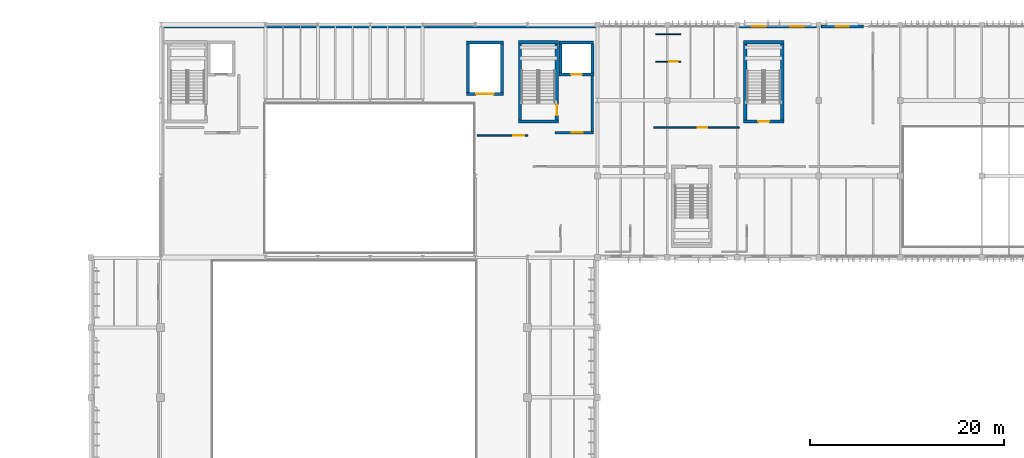
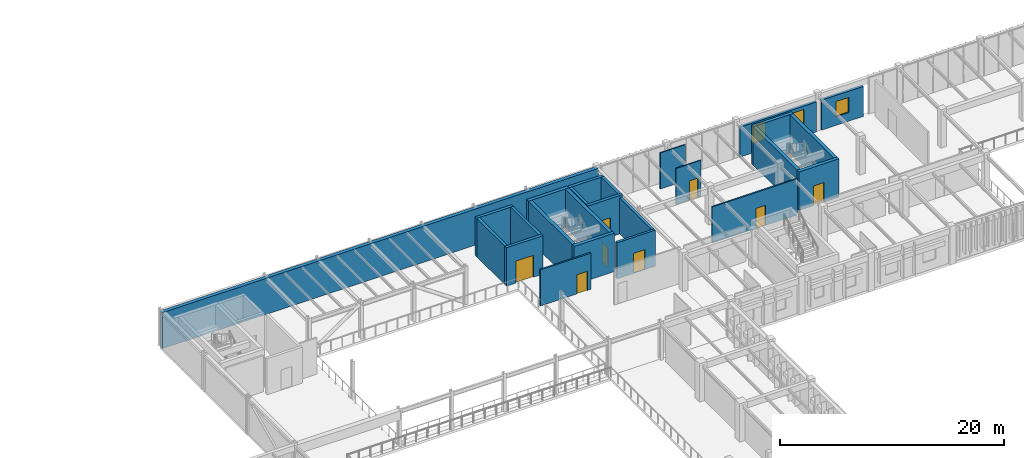
# One storey, part 46 of 122: 25 walls, 8 doors, 3 windows, 11 openings.
"""IFC4 building model written with IfcOpenShell, lengths in metres."""

from ifc_helpers import new_model, si_unit, direction, frame, frame_2d, origin, place, context, subcontext, project, spatial, rectangle, extrude, material, layer, layer_set, type_object, element, fill, save


model = new_model("IFC4")

# Units and contexts
model_context = context("Model", 3, precision=1e-05, world=origin(), true_north=direction((0.0, 1.0)))
body_context = subcontext(model_context, "Body", "Model", "MODEL_VIEW")
ifc_project = project(units=[si_unit("LENGTHUNIT", "METRE"), si_unit("AREAUNIT", "SQUARE_METRE"), si_unit("VOLUMEUNIT", "CUBIC_METRE"), si_unit("PLANEANGLEUNIT", "RADIAN"), si_unit("MASSUNIT", "GRAM", prefix="KILO")], contexts=[model_context])

# Site, building, storey
site_placement = place(None, origin())
site = spatial("IfcSite", under=ifc_project, at=site_placement, CompositionType="ELEMENT")
building_placement = place(site_placement, origin())
building = spatial("IfcBuilding", under=site, at=building_placement, Name="Tazoul Stagehouse", CompositionType="ELEMENT")
storey_placement = place(building_placement, frame((0.0, 0.0, 4.800048828125)))
storey = spatial("IfcBuildingStorey", under=building, at=storey_placement, Name="L01", CompositionType="ELEMENT", Elevation=4.800048828125)

# Walls
ifc_material_1 = material(Name="Ochre Fired Clay Facing Brick Masonry", Category="masonry")
ifc_layer_1 = layer(ifc_material_1, 0.360107421875, Name="Ochre Fired Clay Facing Brick Masonry")
ifc_layer_set_1 = layer_set([ifc_layer_1], Name="Ochre Fired Clay Facing Brick Masonry")
wall_type_1 = type_object("IfcWallType", Name="Acoustic Stagehouse Masonry-Concrete Cavity Wall 360", PredefinedType="SOLIDWALL", material=ifc_layer_set_1)
wall_1_placement = place(storey_placement, frame((57.60009765625, 111.6201171875, 0.0), z_axis=(0.0, 0.0, 1.0), x_axis=(1.0, 0.0, 0.0)))
element("IfcWall", 1, at=wall_1_placement, inside=storey, type_object=wall_type_1, Name="L01 Wall EW-360 (WALL-V2-N-L01-S1)", PredefinedType="SOLIDWALL", context=body_context, shape_type="SweptSolid", body=[
    extrude(rectangle(XDim=45.0, YDim=0.360107421875, at=frame_2d((22.5, 0.0))), origin(), (0.0, 0.0, 1.0), 3.93994140625),
])
ifc_material_2 = material(Name="Concrete C40/50", Category="concrete")
ifc_layer_2 = layer(ifc_material_2, 0.35009765625, Name="Concrete C40/50")
ifc_layer_set_2 = layer_set([ifc_layer_2], Name="Concrete C40/50")
wall_type_2 = type_object("IfcWallType", Name="Core Shear Wall 350", PredefinedType="SOLIDWALL", material=ifc_layer_set_2)
wall_2_placement = place(storey_placement, frame((98.60009765625, 101.824951171875, 0.0), z_axis=(0.0, 0.0, 1.0), x_axis=(-1.0, 0.0, 0.0)))
element("IfcWall", 2, at=wall_2_placement, inside=storey, type_object=wall_type_2, Name="L01 Core Wall CW-350 (SHF-ST-01-south)", PredefinedType="SOLIDWALL", context=body_context, shape_type="SweptSolid", body=[
    extrude(rectangle(XDim=4.150146484375, YDim=0.35009765625, at=frame_2d((2.0751953125, 0.0))), origin(), (0.0, 0.0, 1.0), 4.199951171875),
])
wall_3_placement = place(storey_placement, frame((94.625, 102.0, 0.0), z_axis=(0.0, 0.0, 1.0), x_axis=(0.0, 1.0, 0.0)))
element("IfcWall", 3, at=wall_3_placement, inside=storey, type_object=wall_type_2, Name="L01 Core Wall CW-350 (SHF-ST-01-west)", PredefinedType="SOLIDWALL", context=body_context, shape_type="SweptSolid", body=[
    extrude(rectangle(XDim=7.800048828125, YDim=0.35009765625, at=frame_2d((3.89990234375, 0.0))), origin(), (0.0, 0.0, 1.0), 4.199951171875),
])
wall_4_placement = place(storey_placement, frame((94.449951171875, 109.97509765625, 0.0), z_axis=(0.0, 0.0, 1.0), x_axis=(1.0, 0.0, 0.0)))
element("IfcWall", 4, at=wall_4_placement, inside=storey, type_object=wall_type_2, Name="L01 Core Wall CW-350 (SHF-ST-01-north)", PredefinedType="SOLIDWALL", context=body_context, shape_type="SweptSolid", body=[
    extrude(rectangle(XDim=4.150146484375, YDim=0.35009765625, at=frame_2d((2.0751953125, 0.0))), origin(), (0.0, 0.0, 1.0), 4.199951171875),
])

# Wall, opening, door
wall_5_placement = place(storey_placement, frame((98.425048828125, 109.800048828125, 0.0), z_axis=(0.0, 0.0, 1.0), x_axis=(0.0, -1.0, 0.0)))
wall_5 = element("IfcWall", 5, at=wall_5_placement, inside=storey, type_object=wall_type_2, Name="L01 Core Wall CW-350 (SHF-ST-01-east)", PredefinedType="SOLIDWALL", context=body_context, shape_type="SweptSolid", body=[
    extrude(rectangle(XDim=7.800048828125, YDim=0.35009765625, at=frame_2d((3.89990234375, 0.0))), origin(), (0.0, 0.0, 1.0), 4.199951171875),
])
opening_1_placement = place(wall_5_placement, frame((6.25, 0.0, 0.0)))
opening_1 = element("IfcOpeningElement", 6, at=opening_1_placement, cuts=wall_5, Name="Opening FD-01", PredefinedType="OPENING", context=body_context, shape_type="SweptSolid", body=[
    extrude(rectangle(XDim=1.10009765625, YDim=2.14990234375, at=frame_2d((0.550048828125, 1.074951171875))), frame((0.0, 0.195068359375, 0.0), z_axis=(0.0, -1.0, 0.0), x_axis=(1.0, 0.0, 0.0)), (0.0, 0.0, 1.0), 0.39013671875),
])
ifc_material_3 = material(Name="Powder-Coated Galvanised Acoustic Steel", Category="steel")
door_type_1 = type_object("IfcDoorType", Name="Core Escape Stair Fire Door 1100x2150", OperationType="NOTDEFINED", PredefinedType="DOOR", material=ifc_material_3)
door_1_placement = place(opening_1_placement, origin())
door_1 = element("IfcDoor", 7, at=door_1_placement, inside=storey, type_object=door_type_1, Name="L01 Escape Stair Fire Door FD-01 (ST-01)", OperationType="SINGLE_SWING_LEFT", OverallHeight=2.14990234375, OverallWidth=1.10009765625, PredefinedType="DOOR", context=body_context, shape_type="SweptSolid", body=[
    extrude(rectangle(XDim=1.10009765625, YDim=2.14990234375, at=frame_2d((0.550048828125, 1.074951171875))), frame((0.0, 0.02490234375, 0.0), z_axis=(0.0, -1.0, 0.0), x_axis=(1.0, 0.0, 0.0)), (0.0, 0.0, 1.0), 0.050048828125),
])
fill(opening_1, door_1)

wall_6_placement = place(storey_placement, frame((121.800048828125, 101.824951171875, 0.0), z_axis=(0.0, 0.0, 1.0), x_axis=(-1.0, 0.0, 0.0)))
wall_6 = element("IfcWall", 8, at=wall_6_placement, inside=storey, type_object=wall_type_2, Name="L01 Core Wall CW-350 (SHF-ST-02-south)", PredefinedType="SOLIDWALL", context=body_context, shape_type="SweptSolid", body=[
    extrude(rectangle(XDim=4.150146484375, YDim=0.35009765625, at=frame_2d((2.0751953125, 0.0))), origin(), (0.0, 0.0, 1.0), 4.199951171875),
])
opening_2_placement = place(wall_6_placement, frame((1.52490234375, 0.0, 0.0)))
opening_2 = element("IfcOpeningElement", 9, at=opening_2_placement, cuts=wall_6, Name="Opening FD-01", PredefinedType="OPENING", context=body_context, shape_type="SweptSolid", body=[
    extrude(rectangle(XDim=1.10009765625, YDim=2.14990234375, at=frame_2d((0.550048828125, 1.074951171875))), frame((0.0, 0.195068359375, 0.0), z_axis=(0.0, -1.0, 0.0), x_axis=(1.0, 0.0, 0.0)), (0.0, 0.0, 1.0), 0.39013671875),
])
door_2_placement = place(opening_2_placement, origin())
door_2 = element("IfcDoor", 10, at=door_2_placement, inside=storey, type_object=door_type_1, Name="L01 Escape Stair Fire Door FD-01 (ST-02)", OperationType="SINGLE_SWING_RIGHT", OverallHeight=2.14990234375, OverallWidth=1.10009765625, PredefinedType="DOOR", context=body_context, shape_type="SweptSolid", body=[
    extrude(rectangle(XDim=1.10009765625, YDim=2.14990234375, at=frame_2d((0.550048828125, 1.074951171875))), frame((0.0, 0.02490234375, 0.0), z_axis=(0.0, -1.0, 0.0), x_axis=(1.0, 0.0, 0.0)), (0.0, 0.0, 1.0), 0.050048828125),
])
fill(opening_2, door_2)

# Walls
wall_7_placement = place(storey_placement, frame((117.824951171875, 102.0, 0.0), z_axis=(0.0, 0.0, 1.0), x_axis=(0.0, 1.0, 0.0)))
element("IfcWall", 11, at=wall_7_placement, inside=storey, type_object=wall_type_2, Name="L01 Core Wall CW-350 (SHF-ST-02-west)", PredefinedType="SOLIDWALL", context=body_context, shape_type="SweptSolid", body=[
    extrude(rectangle(XDim=7.800048828125, YDim=0.35009765625, at=frame_2d((3.89990234375, 0.0))), origin(), (0.0, 0.0, 1.0), 4.199951171875),
])
wall_8_placement = place(storey_placement, frame((117.64990234375, 109.97509765625, 0.0), z_axis=(0.0, 0.0, 1.0), x_axis=(1.0, 0.0, 0.0)))
element("IfcWall", 12, at=wall_8_placement, inside=storey, type_object=wall_type_2, Name="L01 Core Wall CW-350 (SHF-ST-02-north)", PredefinedType="SOLIDWALL", context=body_context, shape_type="SweptSolid", body=[
    extrude(rectangle(XDim=4.150146484375, YDim=0.35009765625, at=frame_2d((2.0751953125, 0.0))), origin(), (0.0, 0.0, 1.0), 4.199951171875),
])
wall_9_placement = place(storey_placement, frame((121.625, 109.800048828125, 0.0), z_axis=(0.0, 0.0, 1.0), x_axis=(0.0, -1.0, 0.0)))
element("IfcWall", 13, at=wall_9_placement, inside=storey, type_object=wall_type_2, Name="L01 Core Wall CW-350 (SHF-ST-02-east)", PredefinedType="SOLIDWALL", context=body_context, shape_type="SweptSolid", body=[
    extrude(rectangle(XDim=7.800048828125, YDim=0.35009765625, at=frame_2d((3.89990234375, 0.0))), origin(), (0.0, 0.0, 1.0), 4.199951171875),
])

# Wall, opening, door
ifc_material_4 = material(Name="Gypsum Acoustic Partition", Category="gypsum")
ifc_layer_3 = layer(ifc_material_4, 0.169921875, Name="Gypsum Acoustic Partition")
ifc_layer_set_3 = layer_set([ifc_layer_3], Name="Gypsum Acoustic Partition")
wall_type_3 = type_object("IfcWallType", Name="Corridor Fire-Rated Partition 170", PredefinedType="PARTITIONING", material=ifc_layer_set_3)
wall_10_placement = place(storey_placement, frame((90.199951171875, 100.39990234375, 0.0), z_axis=(0.0, 0.0, 1.0), x_axis=(1.0, 0.0, 0.0)))
wall_10 = element("IfcWall", 14, at=wall_10_placement, inside=storey, type_object=wall_type_3, Name="L01 Partition PW-170 (PW-RM-L01-113-N)", PredefinedType="PARTITIONING", context=body_context, shape_type="SweptSolid", body=[
    extrude(rectangle(XDim=5.199951171875, YDim=0.169921875, at=frame_2d((2.60009765625, 0.0))), origin(), (0.0, 0.0, 1.0), 3.93994140625),
])
opening_3_placement = place(wall_10_placement, frame((3.75, 0.0, 0.0)))
opening_3 = element("IfcOpeningElement", 15, at=opening_3_placement, cuts=wall_10, Name="Opening ID-09", PredefinedType="OPENING", context=body_context, shape_type="SweptSolid", body=[
    extrude(rectangle(XDim=1.10009765625, YDim=2.10009765625, at=frame_2d((0.550048828125, 1.050048828125))), frame((0.0, 0.10498046875, 0.0), z_axis=(0.0, -1.0, 0.0), x_axis=(1.0, 0.0, 0.0)), (0.0, 0.0, 1.0), 0.2099609375),
])
ifc_material_5 = material(Name="Acoustic Cedar Timber", Category="wood")
door_type_2 = type_object("IfcDoorType", Name="Store Room Steel Door 1100x2100", OperationType="NOTDEFINED", PredefinedType="DOOR", material=ifc_material_5)
door_3_placement = place(opening_3_placement, origin())
door_3 = element("IfcDoor", 16, at=door_3_placement, inside=storey, type_object=door_type_2, Name="L01 Stage Right Lighting and Sound Rack Gallery Door", OperationType="SINGLE_SWING_RIGHT", OverallHeight=2.10009765625, OverallWidth=1.10009765625, PredefinedType="DOOR", context=body_context, shape_type="SweptSolid", body=[
    extrude(rectangle(XDim=1.10009765625, YDim=2.10009765625, at=frame_2d((0.550048828125, 1.050048828125))), frame((0.0, 0.02490234375, 0.0), z_axis=(0.0, -1.0, 0.0), x_axis=(1.0, 0.0, 0.0)), (0.0, 0.0, 1.0), 0.050048828125),
])
fill(opening_3, door_3)

ifc_layer_4 = layer(ifc_material_4, 0.14990234375, Name="Gypsum Acoustic Partition")
ifc_layer_set_4 = layer_set([ifc_layer_4], Name="Gypsum Acoustic Partition")
wall_type_4 = type_object("IfcWallType", Name="Dressing Suite Acoustic Partition 150", PredefinedType="PARTITIONING", material=ifc_layer_set_4)
wall_11_placement = place(storey_placement, frame((117.199951171875, 101.199951171875, 0.0), z_axis=(0.0, 0.0, 1.0), x_axis=(-1.0, 0.0, 0.0)))
wall_11 = element("IfcWall", 17, at=wall_11_placement, inside=storey, type_object=wall_type_4, Name="L01 Partition PW-150 (PW-RM-L01-047-S)", PredefinedType="PARTITIONING", context=body_context, shape_type="SweptSolid", body=[
    extrude(rectangle(XDim=8.800048828125, YDim=0.14990234375, at=frame_2d((4.39990234375, 0.0))), origin(), (0.0, 0.0, 1.0), 3.93994140625),
])
opening_4_placement = place(wall_11_placement, frame((3.30859375, 0.0, 0.0)))
opening_4 = element("IfcOpeningElement", 18, at=opening_4_placement, cuts=wall_11, Name="Opening ID-03", PredefinedType="OPENING", context=body_context, shape_type="SweptSolid", body=[
    extrude(rectangle(XDim=0.949951171875, YDim=2.199951171875, at=frame_2d((0.47509765625, 1.10009765625))), frame((0.0, 0.094970703125, 0.0), z_axis=(0.0, -1.0, 0.0), x_axis=(1.0, 0.0, 0.0)), (0.0, 0.0, 1.0), 0.18994140625),
])
door_type_3 = type_object("IfcDoorType", Name="Dressing Suite Acoustic Door 950x2200", OperationType="NOTDEFINED", PredefinedType="DOOR", material=ifc_material_5)
door_4_placement = place(opening_4_placement, origin())
door_4 = element("IfcDoor", 19, at=door_4_placement, inside=storey, type_object=door_type_3, Name="L01 Star Dressing Suite 04 Door", OperationType="SINGLE_SWING_LEFT", OverallHeight=2.199951171875, OverallWidth=0.949951171875, PredefinedType="DOOR", context=body_context, shape_type="SweptSolid", body=[
    extrude(rectangle(XDim=0.949951171875, YDim=2.199951171875, at=frame_2d((0.47509765625, 1.10009765625))), frame((0.0, 0.02490234375, 0.0), z_axis=(0.0, -1.0, 0.0), x_axis=(1.0, 0.0, 0.0)), (0.0, 0.0, 1.0), 0.050048828125),
])
fill(opening_4, door_4)

ifc_layer_5 = layer(ifc_material_2, 0.260009765625, Name="Concrete C40/50")
ifc_layer_set_5 = layer_set([ifc_layer_5], Name="Concrete C40/50")
wall_type_5 = type_object("IfcWallType", Name="Firefighting Lobby Wall 260", PredefinedType="SOLIDWALL", material=ifc_layer_set_5)
wall_12_placement = place(storey_placement, frame((102.2099609375, 100.669921875, 0.0), z_axis=(0.0, 0.0, 1.0), x_axis=(-1.0, 0.0, 0.0)))
wall_12 = element("IfcWall", 20, at=wall_12_placement, inside=storey, type_object=wall_type_5, Name="L01 Firefighting Lobby Wall CW-260 (C1-S)", PredefinedType="SOLIDWALL", context=body_context, shape_type="SweptSolid", body=[
    extrude(rectangle(XDim=3.9599609375, YDim=0.260009765625, at=frame_2d((1.97998046875, 0.0))), origin(), (0.0, 0.0, 1.0), 3.93994140625),
])
opening_5_placement = place(wall_12_placement, frame((1.10009765625, 0.0, 0.0)))
opening_5 = element("IfcOpeningElement", 21, at=opening_5_placement, cuts=wall_12, Name="Opening FD-02", PredefinedType="OPENING", context=body_context, shape_type="SweptSolid", body=[
    extrude(rectangle(XDim=1.14990234375, YDim=2.199951171875, at=frame_2d((0.574951171875, 1.10009765625))), frame((0.0, 0.14990234375, 0.0), z_axis=(0.0, -1.0, 0.0), x_axis=(1.0, 0.0, 0.0)), (0.0, 0.0, 1.0), 0.300048828125),
])
door_type_4 = type_object("IfcDoorType", Name="Firefighting Lobby Fire Door 1150x2200", OperationType="NOTDEFINED", PredefinedType="DOOR", material=ifc_material_3)
door_5_placement = place(opening_5_placement, origin())
door_5 = element("IfcDoor", 22, at=door_5_placement, inside=storey, type_object=door_type_4, Name="L01 Firefighting Lobby Door FD-02 (C1)", OperationType="SINGLE_SWING_RIGHT", OverallHeight=2.199951171875, OverallWidth=1.14990234375, PredefinedType="DOOR", context=body_context, shape_type="SweptSolid", body=[
    extrude(rectangle(XDim=1.14990234375, YDim=2.199951171875, at=frame_2d((0.574951171875, 1.10009765625))), frame((0.0, 0.02490234375, 0.0), z_axis=(0.0, -1.0, 0.0), x_axis=(1.0, 0.0, 0.0)), (0.0, 0.0, 1.0), 0.050048828125),
])
fill(opening_5, door_5)

# Wall
wall_13_placement = place(storey_placement, frame((102.080078125, 106.64990234375, 0.0), z_axis=(0.0, 0.0, 1.0), x_axis=(0.0, -1.0, 0.0)))
element("IfcWall", 23, at=wall_13_placement, inside=storey, type_object=wall_type_5, Name="L01 Firefighting Lobby Wall CW-260 (C1-E)", PredefinedType="SOLIDWALL", context=body_context, shape_type="SweptSolid", body=[
    extrude(rectangle(XDim=5.849853515625, YDim=0.260009765625, at=frame_2d((2.9248046875, 0.0))), origin(), (0.0, 0.0, 1.0), 3.93994140625),
])

# Wall, openings, windows
ifc_material_6 = material(Name="Precast concrete C40/50", Category="concrete")
ifc_layer_6 = layer(ifc_material_6, 0.280029296875, Name="Precast concrete C40/50")
ifc_layer_set_6 = layer_set([ifc_layer_6], Name="Precast concrete C40/50")
wall_type_6 = type_object("IfcWallType", Name="Insulated Precast Acoustic Cladding Wall 280", PredefinedType="SOLIDWALL", material=ifc_layer_set_6)
wall_14_placement = place(storey_placement, frame((117.2548828125, 111.6201171875, 0.0), z_axis=(0.0, 0.0, 1.0), x_axis=(1.0, 0.0, 0.0)))
wall_14 = element("IfcWall", 24, at=wall_14_placement, inside=storey, type_object=wall_type_6, Name="L01 Wall EW-280 (WALL-V3-N2-L01-S1)", PredefinedType="SOLIDWALL", context=body_context, shape_type="SweptSolid", body=[
    extrude(rectangle(XDim=7.89013671875, YDim=0.280029296875, at=frame_2d((3.945068359375, 0.0))), origin(), (0.0, 0.0, 1.0), 3.27294921875),
])
opening_6_placement = place(wall_14_placement, frame((1.267578125, 0.0, 0.949951171875)))
opening_6 = element("IfcOpeningElement", 25, at=opening_6_placement, cuts=wall_14, Name="Opening WN-75", PredefinedType="OPENING", context=body_context, shape_type="SweptSolid", body=[
    extrude(rectangle(XDim=1.409912109375, YDim=1.949951171875, at=frame_2d((0.705078125, 0.97509765625))), frame((0.0, 0.159912109375, 0.0), z_axis=(0.0, -1.0, 0.0), x_axis=(1.0, 0.0, 0.0)), (0.0, 0.0, 1.0), 0.320068359375),
])
opening_7_placement = place(wall_14_placement, frame((5.21240234375, 0.0, 0.949951171875)))
opening_7 = element("IfcOpeningElement", 26, at=opening_7_placement, cuts=wall_14, Name="Opening WN-75", PredefinedType="OPENING", context=body_context, shape_type="SweptSolid", body=[
    extrude(rectangle(XDim=1.409912109375, YDim=1.949951171875, at=frame_2d((0.705078125, 0.97509765625))), frame((0.0, 0.159912109375, 0.0), z_axis=(0.0, -1.0, 0.0), x_axis=(1.0, 0.0, 0.0)), (0.0, 0.0, 1.0), 0.320068359375),
])
ifc_material_7 = material(Name="Double Low-E Acoustic Laminated Glass", Category="glass")
window_type_1 = type_object("IfcWindowType", Name="Architectural Acoustic Facade Window 1410x1950", PartitioningType="SINGLE_PANEL", PredefinedType="WINDOW", material=ifc_material_7)
window_1_placement = place(opening_6_placement, origin())
window_1 = element("IfcWindow", 27, at=window_1_placement, inside=storey, type_object=window_type_1, Name="L01 Window WN-75 (WALL-V3-N2-L01-S1-W1)", OverallHeight=1.949951171875, OverallWidth=1.409912109375, PartitioningType="SINGLE_PANEL", PredefinedType="WINDOW", context=body_context, shape_type="SweptSolid", body=[
    extrude(rectangle(XDim=1.409912109375, YDim=1.949951171875, at=frame_2d((0.705078125, 0.97509765625))), frame((0.0, 0.030029296875, 0.0), z_axis=(0.0, -1.0, 0.0), x_axis=(1.0, 0.0, 0.0)), (0.0, 0.0, 1.0), 0.06005859375),
])
fill(opening_6, window_1)
window_2_placement = place(opening_7_placement, origin())
window_2 = element("IfcWindow", 28, at=window_2_placement, inside=storey, type_object=window_type_1, Name="L01 Window WN-75 (WALL-V3-N2-L01-S1-W2)", OverallHeight=1.949951171875, OverallWidth=1.409912109375, PartitioningType="SINGLE_PANEL", PredefinedType="WINDOW", context=body_context, shape_type="SweptSolid", body=[
    extrude(rectangle(XDim=1.409912109375, YDim=1.949951171875, at=frame_2d((0.705078125, 0.97509765625))), frame((0.0, 0.030029296875, 0.0), z_axis=(0.0, -1.0, 0.0), x_axis=(1.0, 0.0, 0.0)), (0.0, 0.0, 1.0), 0.06005859375),
])
fill(opening_7, window_2)

# Wall, opening, window
wall_15_placement = place(storey_placement, frame((125.655029296875, 111.6201171875, 0.0), z_axis=(0.0, 0.0, 1.0), x_axis=(1.0, 0.0, 0.0)))
wall_15 = element("IfcWall", 29, at=wall_15_placement, inside=storey, type_object=wall_type_6, Name="L01 Wall EW-280 (WALL-V3-N2-L01-S2)", PredefinedType="SOLIDWALL", context=body_context, shape_type="SweptSolid", body=[
    extrude(rectangle(XDim=4.344970703125, YDim=0.280029296875, at=frame_2d((2.17236328125, 0.0))), origin(), (0.0, 0.0, 1.0), 3.27294921875),
])
opening_8_placement = place(wall_15_placement, frame((1.512451171875, 0.0, 0.949951171875)))
opening_8 = element("IfcOpeningElement", 30, at=opening_8_placement, cuts=wall_15, Name="Opening WN-47", PredefinedType="OPENING", context=body_context, shape_type="SweptSolid", body=[
    extrude(rectangle(XDim=1.320068359375, YDim=1.64990234375, at=frame_2d((0.66015625, 0.824951171875))), frame((0.0, 0.159912109375, 0.0), z_axis=(0.0, -1.0, 0.0), x_axis=(1.0, 0.0, 0.0)), (0.0, 0.0, 1.0), 0.320068359375),
])
window_type_2 = type_object("IfcWindowType", Name="Architectural Acoustic Facade Window 1320x1650", PartitioningType="SINGLE_PANEL", PredefinedType="WINDOW", material=ifc_material_7)
window_3_placement = place(opening_8_placement, origin())
window_3 = element("IfcWindow", 31, at=window_3_placement, inside=storey, type_object=window_type_2, Name="L01 Window WN-47 (WALL-V3-N2-L01-S2-W1)", OverallHeight=1.64990234375, OverallWidth=1.320068359375, PartitioningType="SINGLE_PANEL", PredefinedType="WINDOW", context=body_context, shape_type="SweptSolid", body=[
    extrude(rectangle(XDim=1.320068359375, YDim=1.64990234375, at=frame_2d((0.66015625, 0.824951171875))), frame((0.0, 0.030029296875, 0.0), z_axis=(0.0, -1.0, 0.0), x_axis=(1.0, 0.0, 0.0)), (0.0, 0.0, 1.0), 0.06005859375),
])
fill(opening_8, window_3)

# Wall, opening, door
ifc_layer_7 = layer(ifc_material_2, 0.300048828125, Name="Concrete C40/50")
ifc_layer_set_7 = layer_set([ifc_layer_7], Name="Concrete C40/50")
wall_type_7 = type_object("IfcWallType", Name="Lift Shaft Wall 300", PredefinedType="SOLIDWALL", material=ifc_layer_set_7)
wall_16_placement = place(storey_placement, frame((102.25, 106.64990234375, 0.0), z_axis=(0.0, 0.0, 1.0), x_axis=(-1.0, 0.0, 0.0)))
wall_16 = element("IfcWall", 32, at=wall_16_placement, inside=storey, type_object=wall_type_7, Name="L01 Core Wall CW-300 (LSHF-FFL-01-south)", PredefinedType="SOLIDWALL", context=body_context, shape_type="SweptSolid", body=[
    extrude(rectangle(XDim=3.60009765625, YDim=0.300048828125, at=frame_2d((1.800048828125, 0.0))), origin(), (0.0, 0.0, 1.0), 4.199951171875),
])
opening_9_placement = place(wall_16_placement, frame((1.25, 0.0, 0.0)))
opening_9 = element("IfcOpeningElement", 33, at=opening_9_placement, cuts=wall_16, Name="Opening LD-01", PredefinedType="OPENING", context=body_context, shape_type="SweptSolid", body=[
    extrude(rectangle(XDim=1.10009765625, YDim=2.10009765625, at=frame_2d((0.550048828125, 1.050048828125))), frame((0.0, 0.169921875, 0.0), z_axis=(0.0, -1.0, 0.0), x_axis=(1.0, 0.0, 0.0)), (0.0, 0.0, 1.0), 0.340087890625),
])
door_type_5 = type_object("IfcDoorType", Name="Firefighter Lift Sliding Landing Door 1100x2100", OperationType="DOUBLE_DOOR_SLIDING", PredefinedType="DOOR", material=ifc_material_3)
door_6_placement = place(opening_9_placement, origin())
door_6 = element("IfcDoor", 34, at=door_6_placement, inside=storey, type_object=door_type_5, Name="L01 Lift Landing Sliding Door LD-01 (FFL-01)", OperationType="DOUBLE_DOOR_SLIDING", OverallHeight=2.10009765625, OverallWidth=1.10009765625, PredefinedType="DOOR", context=body_context, shape_type="SweptSolid", body=[
    extrude(rectangle(XDim=1.10009765625, YDim=2.10009765625, at=frame_2d((0.550048828125, 1.050048828125))), frame((0.0, 0.02490234375, 0.0), z_axis=(0.0, -1.0, 0.0), x_axis=(1.0, 0.0, 0.0)), (0.0, 0.0, 1.0), 0.050048828125),
])
fill(opening_9, door_6)

# Walls
wall_17_placement = place(storey_placement, frame((98.800048828125, 106.800048828125, 0.0), z_axis=(0.0, 0.0, 1.0), x_axis=(0.0, 1.0, 0.0)))
element("IfcWall", 35, at=wall_17_placement, inside=storey, type_object=wall_type_7, Name="L01 Core Wall CW-300 (LSHF-FFL-01-west)", PredefinedType="SOLIDWALL", context=body_context, shape_type="SweptSolid", body=[
    extrude(rectangle(XDim=3.0, YDim=0.300048828125, at=frame_2d((1.5, 0.0))), origin(), (0.0, 0.0, 1.0), 4.199951171875),
])
wall_18_placement = place(storey_placement, frame((98.64990234375, 109.949951171875, 0.0), z_axis=(0.0, 0.0, 1.0), x_axis=(1.0, 0.0, 0.0)))
element("IfcWall", 36, at=wall_18_placement, inside=storey, type_object=wall_type_7, Name="L01 Core Wall CW-300 (LSHF-FFL-01-north)", PredefinedType="SOLIDWALL", context=body_context, shape_type="SweptSolid", body=[
    extrude(rectangle(XDim=3.570068359375, YDim=0.300048828125, at=frame_2d((1.78515625, 0.0))), origin(), (0.0, 0.0, 1.0), 4.199951171875),
])
wall_19_placement = place(storey_placement, frame((102.10009765625, 109.800048828125, 0.0), z_axis=(0.0, 0.0, 1.0), x_axis=(0.0, -1.0, 0.0)))
element("IfcWall", 37, at=wall_19_placement, inside=storey, type_object=wall_type_7, Name="L01 Core Wall CW-300 (LSHF-FFL-01-east)", PredefinedType="SOLIDWALL", context=body_context, shape_type="SweptSolid", body=[
    extrude(rectangle(XDim=3.0, YDim=0.300048828125, at=frame_2d((1.5, 0.0))), origin(), (0.0, 0.0, 1.0), 4.199951171875),
])

# Wall, opening, door
wall_20_placement = place(storey_placement, frame((92.89990234375, 104.64990234375, 0.0), z_axis=(0.0, 0.0, 1.0), x_axis=(-1.0, 0.0, 0.0)))
wall_20 = element("IfcWall", 38, at=wall_20_placement, inside=storey, type_object=wall_type_7, Name="L01 Core Wall CW-300 (LSHF-GL-01-south)", PredefinedType="SOLIDWALL", context=body_context, shape_type="SweptSolid", body=[
    extrude(rectangle(XDim=3.7998046875, YDim=0.300048828125, at=frame_2d((1.89990234375, 0.0))), origin(), (0.0, 0.0, 1.0), 4.199951171875),
])
opening_10_placement = place(wall_20_placement, frame((1.0, 0.0, 0.0)))
opening_10 = element("IfcOpeningElement", 39, at=opening_10_placement, cuts=wall_20, Name="Opening LD-07", PredefinedType="OPENING", context=body_context, shape_type="SweptSolid", body=[
    extrude(rectangle(XDim=1.800048828125, YDim=2.39990234375, at=frame_2d((0.89990234375, 1.199951171875))), frame((0.0, 0.169921875, 0.0), z_axis=(0.0, -1.0, 0.0), x_axis=(1.0, 0.0, 0.0)), (0.0, 0.0, 1.0), 0.340087890625),
])
door_type_6 = type_object("IfcDoorType", Name="Scenery Goods Lift Sliding Door 1800x2400", OperationType="DOUBLE_DOOR_SLIDING", PredefinedType="DOOR", material=ifc_material_3)
door_7_placement = place(opening_10_placement, origin())
door_7 = element("IfcDoor", 40, at=door_7_placement, inside=storey, type_object=door_type_6, Name="L01 Lift Landing Sliding Door LD-07 (GL-01)", OperationType="DOUBLE_DOOR_SLIDING", OverallHeight=2.39990234375, OverallWidth=1.800048828125, PredefinedType="DOOR", context=body_context, shape_type="SweptSolid", body=[
    extrude(rectangle(XDim=1.800048828125, YDim=2.39990234375, at=frame_2d((0.89990234375, 1.199951171875))), frame((0.0, 0.02490234375, 0.0), z_axis=(0.0, -1.0, 0.0), x_axis=(1.0, 0.0, 0.0)), (0.0, 0.0, 1.0), 0.050048828125),
])
fill(opening_10, door_7)

# Walls
wall_21_placement = place(storey_placement, frame((89.25, 104.800048828125, 0.0), z_axis=(0.0, 0.0, 1.0), x_axis=(0.0, 1.0, 0.0)))
element("IfcWall", 41, at=wall_21_placement, inside=storey, type_object=wall_type_7, Name="L01 Core Wall CW-300 (LSHF-GL-01-west)", PredefinedType="SOLIDWALL", context=body_context, shape_type="SweptSolid", body=[
    extrude(rectangle(XDim=5.0, YDim=0.300048828125, at=frame_2d((2.5, 0.0))), origin(), (0.0, 0.0, 1.0), 4.199951171875),
])
wall_22_placement = place(storey_placement, frame((89.10009765625, 109.949951171875, 0.0), z_axis=(0.0, 0.0, 1.0), x_axis=(1.0, 0.0, 0.0)))
element("IfcWall", 42, at=wall_22_placement, inside=storey, type_object=wall_type_7, Name="L01 Core Wall CW-300 (LSHF-GL-01-north)", PredefinedType="SOLIDWALL", context=body_context, shape_type="SweptSolid", body=[
    extrude(rectangle(XDim=3.7998046875, YDim=0.300048828125, at=frame_2d((1.89990234375, 0.0))), origin(), (0.0, 0.0, 1.0), 4.199951171875),
])
wall_23_placement = place(storey_placement, frame((92.75, 109.800048828125, 0.0), z_axis=(0.0, 0.0, 1.0), x_axis=(0.0, -1.0, 0.0)))
element("IfcWall", 43, at=wall_23_placement, inside=storey, type_object=wall_type_7, Name="L01 Core Wall CW-300 (LSHF-GL-01-east)", PredefinedType="SOLIDWALL", context=body_context, shape_type="SweptSolid", body=[
    extrude(rectangle(XDim=5.0, YDim=0.300048828125, at=frame_2d((2.5, 0.0))), origin(), (0.0, 0.0, 1.0), 4.199951171875),
])

# Wall, opening, door
ifc_layer_8 = layer(ifc_material_4, 0.110107421875, Name="Gypsum Acoustic Partition")
ifc_layer_set_8 = layer_set([ifc_layer_8], Name="Gypsum Acoustic Partition")
wall_type_8 = type_object("IfcWallType", Name="Wet-Area Tile Backing Partition 110", PredefinedType="PARTITIONING", material=ifc_layer_set_8)
wall_24_placement = place(storey_placement, frame((111.199951171875, 108.0, 0.0), z_axis=(0.0, 0.0, 1.0), x_axis=(-1.0, 0.0, 0.0)))
wall_24 = element("IfcWall", 44, at=wall_24_placement, inside=storey, type_object=wall_type_8, Name="L01 Partition PW-110 (PW-RM-L01-046-S)", PredefinedType="PARTITIONING", context=body_context, shape_type="SweptSolid", body=[
    extrude(rectangle(XDim=2.599853515625, YDim=0.110107421875, at=frame_2d((1.2998046875, 0.0))), origin(), (0.0, 0.0, 1.0), 3.93994140625),
])
opening_11_placement = place(wall_24_placement, frame((0.35009765625, 0.0, 0.0)))
opening_11 = element("IfcOpeningElement", 45, at=opening_11_placement, cuts=wall_24, Name="Opening ID-01", PredefinedType="OPENING", context=body_context, shape_type="SweptSolid", body=[
    extrude(rectangle(XDim=0.85009765625, YDim=2.10009765625, at=frame_2d((0.425048828125, 1.050048828125))), frame((0.0, 0.074951171875, 0.0), z_axis=(0.0, -1.0, 0.0), x_axis=(1.0, 0.0, 0.0)), (0.0, 0.0, 1.0), 0.150146484375),
])
door_type_7 = type_object("IfcDoorType", Name="En-Suite Bathroom Door 850x2100", OperationType="NOTDEFINED", PredefinedType="DOOR", material=ifc_material_5)
door_8_placement = place(opening_11_placement, origin())
door_8 = element("IfcDoor", 46, at=door_8_placement, inside=storey, type_object=door_type_7, Name="L01 En-Suite Shower WC 04 Door", OperationType="SINGLE_SWING_RIGHT", OverallHeight=2.10009765625, OverallWidth=0.85009765625, PredefinedType="DOOR", context=body_context, shape_type="SweptSolid", body=[
    extrude(rectangle(XDim=0.85009765625, YDim=2.10009765625, at=frame_2d((0.425048828125, 1.050048828125))), frame((0.0, 0.02490234375, 0.0), z_axis=(0.0, -1.0, 0.0), x_axis=(1.0, 0.0, 0.0)), (0.0, 0.0, 1.0), 0.050048828125),
])
fill(opening_11, door_8)

# Wall
wall_25_placement = place(storey_placement, frame((108.60009765625, 110.800048828125, 0.0), z_axis=(0.0, 0.0, 1.0), x_axis=(1.0, 0.0, 0.0)))
element("IfcWall", 47, at=wall_25_placement, inside=storey, type_object=wall_type_8, Name="L01 Partition PW-110 (PW-RM-L01-046-N)", PredefinedType="PARTITIONING", context=body_context, shape_type="SweptSolid", body=[
    extrude(rectangle(XDim=2.599853515625, YDim=0.110107421875, at=frame_2d((1.2998046875, 0.0))), origin(), (0.0, 0.0, 1.0), 3.93994140625),
])

save(model, "model.ifc")
